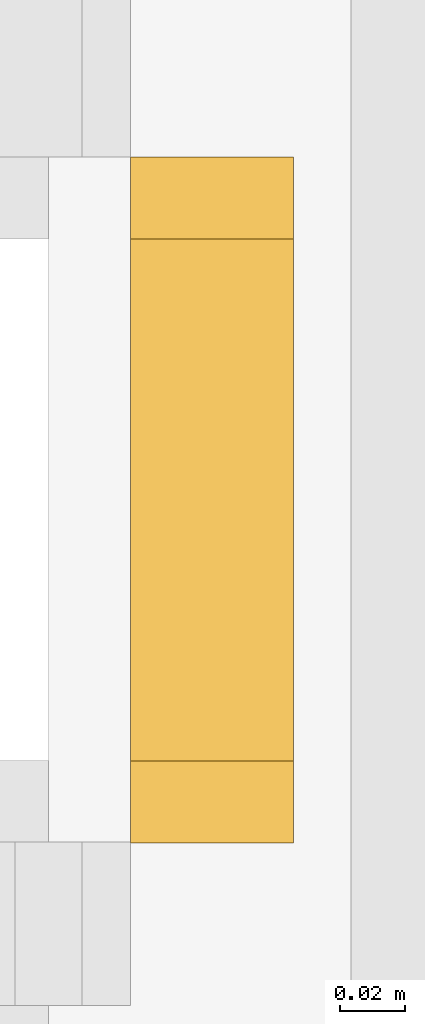
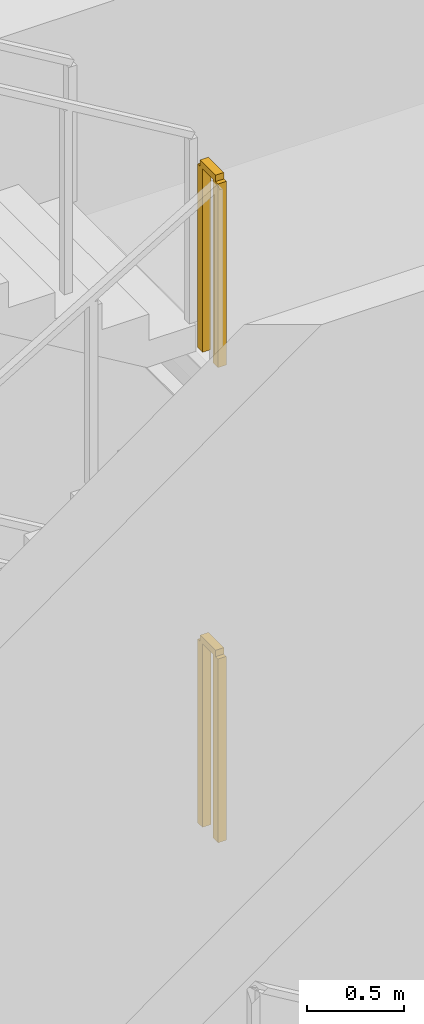
# One storey, part 36 of 40: 2 railings.
"""IFC4 building model written with IfcOpenShell, lengths in metres."""

from ifc_helpers import new_model, si_unit, direction, frame, origin, origin_2d, place, context, subcontext, project, spatial, rectangle, extrude, material, type_object, element, save


model = new_model("IFC4")

# Units and contexts
model_context = context("Model", 3, precision=1e-05, world=origin(), true_north=direction((0.0, 1.0)))
body_context = subcontext(model_context, "Body", "Model", "MODEL_VIEW")
ifc_project = project(units=[si_unit("LENGTHUNIT", "METRE"), si_unit("AREAUNIT", "SQUARE_METRE"), si_unit("VOLUMEUNIT", "CUBIC_METRE"), si_unit("PLANEANGLEUNIT", "RADIAN"), si_unit("MASSUNIT", "GRAM", prefix="KILO")], contexts=[model_context])

# Site, building, storey
site_placement = place(None, origin())
site = spatial("IfcSite", under=ifc_project, at=site_placement, CompositionType="ELEMENT")
building_placement = place(site_placement, origin())
building = spatial("IfcBuilding", under=site, at=building_placement, Name="Qianvela Tower", CompositionType="ELEMENT")
storey_placement = place(building_placement, origin())
storey = spatial("IfcBuildingStorey", under=building, at=storey_placement, Name="L00", CompositionType="ELEMENT", Elevation=0.0)

# Railings
ifc_material = material(Name="Painted Tubular Steel Q355B", Category="steel")
railing_type = type_object("IfcRailingType", Name="RL-STAIR-GUARD-1200", PredefinedType="GUARDRAIL", material=ifc_material)
for number, where, name in (
    (1, (34.489990234375, 30.889892578125, 1.5), "L00 ST-1 stair guard 2"),
    (2, (34.489990234375, 30.889892578125, 4.5), "L00 ST-1 stair guard 6"),
):
    element("IfcRailing", number, at=place(storey_placement, frame(where)), inside=storey, type_object=railing_type, Name=name, PredefinedType="GUARDRAIL", context=body_context, shape_type="SweptSolid", body=[
        extrude(rectangle(XDim=0.050048828125, YDim=0.0400390625, at=origin_2d()), frame((0.0, 0.0, 1.179931640625), z_axis=(0.0, 1.0, 0.0), x_axis=(-1.0, 0.0, 0.0)), (0.0, 0.0, 1.0), 0.16015625),
        extrude(rectangle(XDim=0.050048828125, YDim=0.050048828125, at=origin_2d()), origin(), (0.0, 0.0, 1.0), 1.159912109375),
        extrude(rectangle(XDim=0.050048828125, YDim=0.050048828125, at=origin_2d()), frame((0.0, 0.16015625, 0.0)), (0.0, 0.0, 1.0), 1.159912109375),
    ])

save(model, "model.ifc")
